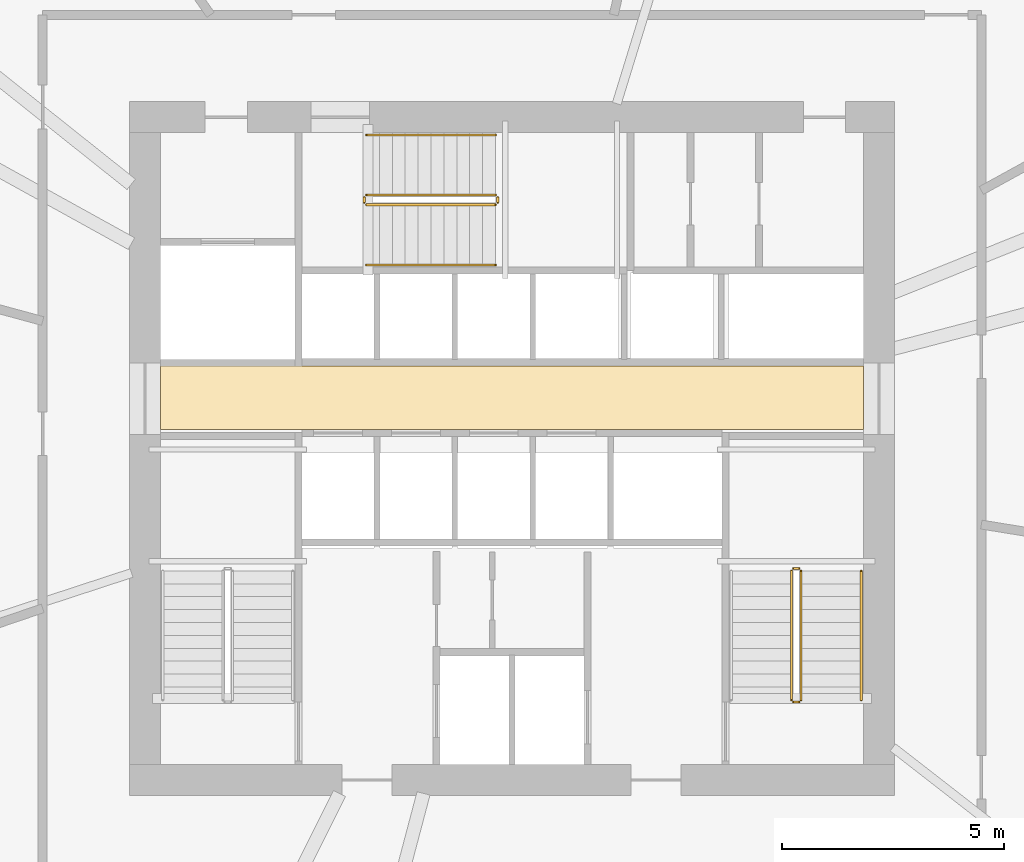
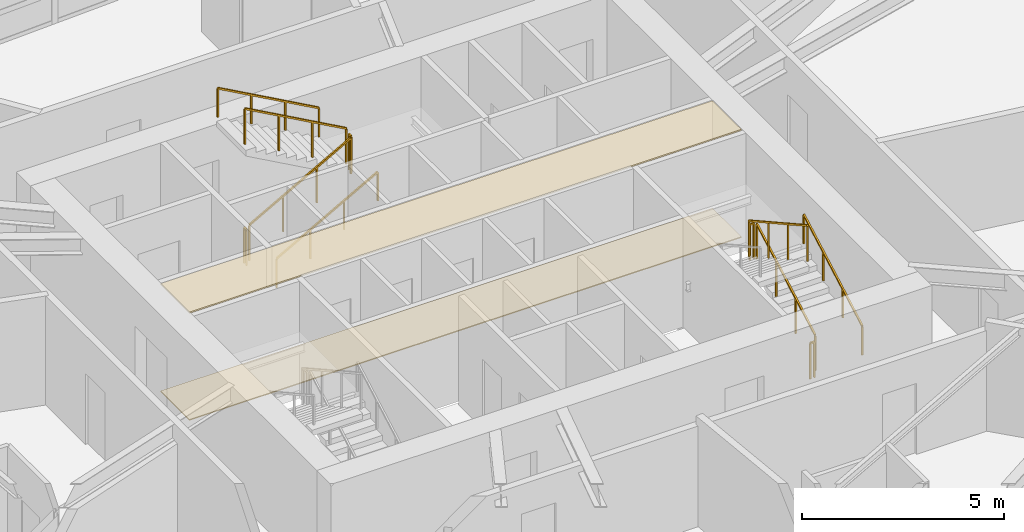
# One storey, part 20 of 21: 11 railings, 2 coverings.
"""IFC4 building model written with IfcOpenShell, lengths in metres."""

from ifc_helpers import new_model, si_unit, direction, frame, origin, origin_2d, place, context, subcontext, project, spatial, polyline, rectangle, outline, extrude, material, layer, layer_set, type_object, element, save


model = new_model("IFC4")

# Units and contexts
model_context = context("Model", 3, precision=1e-05, world=origin(), true_north=direction((0.0, 1.0)))
body_context = subcontext(model_context, "Body", "Model", "MODEL_VIEW")
ifc_project = project(units=[si_unit("LENGTHUNIT", "METRE"), si_unit("AREAUNIT", "SQUARE_METRE"), si_unit("VOLUMEUNIT", "CUBIC_METRE"), si_unit("PLANEANGLEUNIT", "RADIAN"), si_unit("MASSUNIT", "GRAM", prefix="KILO")], contexts=[model_context])

# Site, building, storey
site_placement = place(None, origin())
site = spatial("IfcSite", under=ifc_project, at=site_placement, CompositionType="ELEMENT")
building_placement = place(site_placement, origin())
building = spatial("IfcBuilding", under=site, at=building_placement, Name="Olszyna Solenne Hotel", CompositionType="ELEMENT")
storey_placement = place(building_placement, frame((0.0, 0.0, 105.699951171875)))
storey = spatial("IfcBuildingStorey", under=building, at=storey_placement, Name="L27", CompositionType="ELEMENT", Elevation=105.699951171875)

# Coverings
ifc_material_1 = material(Name="Mineral wool acoustic ceiling")
ifc_layer_1 = layer(ifc_material_1, 0.0400390625, Name="Mineral wool acoustic ceiling")
ifc_layer_set_1 = layer_set([ifc_layer_1], Name="Mineral wool acoustic ceiling")
covering_type_1 = type_object("IfcCoveringType", Name="CL-AC1", PredefinedType="CEILING", material=ifc_layer_set_1)
covering_1_placement = place(storey_placement, frame((0.0, 0.0, 3.239990234375)))
element("IfcCovering", 1, at=covering_1_placement, inside=storey, type_object=covering_type_1, Name="Lift lobby acoustic tile ceiling CL-L27-01", PredefinedType="CEILING", context=body_context, shape_type="SweptSolid", body=[
    extrude(outline(polyline([(30.10009765625, 27.030029296875), (45.89990234375, 27.030029296875), (45.89990234375, 28.4599609375), (30.10009765625, 28.4599609375), (30.10009765625, 27.030029296875)])), origin(), (0.0, 0.0, 1.0), 0.0400390625),
])
ifc_material_2 = material(Name="Ceramic floor tile")
ifc_layer_2 = layer(ifc_material_2, 0.030029296875, Name="Ceramic floor tile")
ifc_layer_set_2 = layer_set([ifc_layer_2], Name="Ceramic floor tile")
covering_type_2 = type_object("IfcCoveringType", Name="FL-TL1", PredefinedType="FLOORING", material=ifc_layer_set_2)
covering_2_placement = place(storey_placement, origin())
element("IfcCovering", 2, at=covering_2_placement, inside=storey, type_object=covering_type_2, Name="Lift lobby stoneware floor finish FLR-L27-01", PredefinedType="FLOORING", context=body_context, shape_type="SweptSolid", body=[
    extrude(outline(polyline([(30.10009765625, 27.030029296875), (45.89990234375, 27.030029296875), (45.89990234375, 28.4599609375), (30.10009765625, 28.4599609375), (30.10009765625, 27.030029296875)])), origin(), (0.0, 0.0, 1.0), 0.030029296875),
])

# Railings
ifc_material_3 = material(Name="Anodised bronze aluminium", Category="aluminium")
railing_type_1 = type_object("IfcRailingType", Name="GR-110", PredefinedType="BALUSTRADE", material=ifc_material_3)
railing_1_placement = place(storey_placement, frame((44.5, 20.949951171875, 0.161376953125)))
element("IfcRailing", 3, at=railing_1_placement, inside=storey, type_object=railing_type_1, Name="L27 ST2 stair guard 1", PredefinedType="BALUSTRADE", context=body_context, shape_type="SweptSolid", body=[
    extrude(rectangle(XDim=0.048095703125, YDim=0.048095703125, at=origin_2d()), frame((0.0, 0.0, 1.076171875), z_axis=(0.0, 0.873827439584, 0.48623616261), x_axis=(-1.0, 0.0, 0.0)), (0.0, 0.0, 1.0), 3.31884765625),
    extrude(rectangle(XDim=0.0419921875, YDim=0.0419921875, at=origin_2d()), origin(), (0.0, 0.0, 1.0), 1.052001953125),
    extrude(rectangle(XDim=0.0419921875, YDim=0.0419921875, at=origin_2d()), frame((0.0, 0.966796875, 0.537841796875)), (0.0, 0.0, 1.0), 1.052001953125),
    extrude(rectangle(XDim=0.0419921875, YDim=0.0419921875, at=origin_2d()), frame((0.0, 1.933349609375, 1.075927734375)), (0.0, 0.0, 1.0), 1.052001953125),
    extrude(rectangle(XDim=0.0419921875, YDim=0.0419921875, at=origin_2d()), frame((0.0, 2.900146484375, 1.61376953125)), (0.0, 0.0, 1.0), 1.052001953125),
])
railing_2_placement = place(storey_placement, frame((44.449951171875, 23.89990234375, 1.775146484375)))
element("IfcRailing", 4, at=railing_2_placement, inside=storey, type_object=railing_type_1, Name="L27 ST2 stair guard 2", PredefinedType="BALUSTRADE", context=body_context, shape_type="SweptSolid", body=[
    extrude(rectangle(XDim=0.048095703125, YDim=0.048095703125, at=origin_2d()), frame((0.0, 0.0, 1.076171875), z_axis=(-1.0, 0.0, 0.0), x_axis=(0.0, -1.0, 0.0)), (0.0, 0.0, 1.0), 0.119873046875),
    extrude(rectangle(XDim=0.0419921875, YDim=0.0419921875, at=origin_2d()), origin(), (0.0, 0.0, 1.0), 1.052001953125),
    extrude(rectangle(XDim=0.0419921875, YDim=0.0419921875, at=origin_2d()), frame((-0.119873046875, 0.0, 0.0)), (0.0, 0.0, 1.0), 1.052001953125),
])
railing_3_placement = place(storey_placement, frame((44.280029296875, 23.85009765625, 1.9365234375)))
element("IfcRailing", 5, at=railing_3_placement, inside=storey, type_object=railing_type_1, Name="L27 ST2 stair guard 3", PredefinedType="BALUSTRADE", context=body_context, shape_type="SweptSolid", body=[
    extrude(rectangle(XDim=0.048095703125, YDim=0.048095703125, at=origin_2d()), frame((0.0, 0.0, 1.076171875), z_axis=(0.0, -0.873858693841, 0.486179990537), x_axis=(1.0, 0.0, 0.0)), (0.0, 0.0, 1.0), 3.31884765625),
    extrude(rectangle(XDim=0.0419921875, YDim=0.0419921875, at=origin_2d()), origin(), (0.0, 0.0, 1.0), 1.052001953125),
    extrude(rectangle(XDim=0.0419921875, YDim=0.0419921875, at=origin_2d()), frame((0.0, -0.966796875, 0.537841796875)), (0.0, 0.0, 1.0), 1.052001953125),
    extrude(rectangle(XDim=0.0419921875, YDim=0.0419921875, at=origin_2d()), frame((0.0, -1.933349609375, 1.07568359375)), (0.0, 0.0, 1.0), 1.052001953125),
    extrude(rectangle(XDim=0.0419921875, YDim=0.0419921875, at=origin_2d()), frame((0.0, -2.900146484375, 1.613525390625)), (0.0, 0.0, 1.0), 1.052001953125),
])
railing_4_placement = place(storey_placement, frame((44.449951171875, 20.89990234375, 0.0)))
element("IfcRailing", 6, at=railing_4_placement, inside=storey, type_object=railing_type_1, Name="L27 ST2 stair guard 4", PredefinedType="BALUSTRADE", context=body_context, shape_type="SweptSolid", body=[
    extrude(rectangle(XDim=0.048095703125, YDim=0.048095703125, at=origin_2d()), frame((0.0, 0.0, 1.076171875), z_axis=(-1.0, 0.0, 0.0), x_axis=(0.0, -1.0, 0.0)), (0.0, 0.0, 1.0), 0.119873046875),
    extrude(rectangle(XDim=0.0419921875, YDim=0.0419921875, at=origin_2d()), origin(), (0.0, 0.0, 1.0), 1.052001953125),
    extrude(rectangle(XDim=0.0419921875, YDim=0.0419921875, at=origin_2d()), frame((-0.119873046875, 0.0, 0.0)), (0.0, 0.0, 1.0), 1.052001953125),
])
railing_5_placement = place(storey_placement, frame((34.72998046875, 32.080078125, 0.161376953125)))
element("IfcRailing", 7, at=railing_5_placement, inside=storey, type_object=railing_type_1, Name="L27 ST3 stair guard 1", PredefinedType="BALUSTRADE", context=body_context, shape_type="SweptSolid", body=[
    extrude(rectangle(XDim=0.048095703125, YDim=0.048095703125, at=origin_2d()), frame((0.0, 0.0, 1.076171875), z_axis=(0.873810046276, 0.0, 0.486267419253), x_axis=(0.0, 1.0, 0.0)), (0.0, 0.0, 1.0), 3.318603515625),
    extrude(rectangle(XDim=0.0419921875, YDim=0.0419921875, at=origin_2d()), origin(), (0.0, 0.0, 1.0), 1.052001953125),
    extrude(rectangle(XDim=0.0419921875, YDim=0.0419921875, at=origin_2d()), frame((0.966552734375, 0.0, 0.537841796875)), (0.0, 0.0, 1.0), 1.052001953125),
    extrude(rectangle(XDim=0.0419921875, YDim=0.0419921875, at=origin_2d()), frame((1.933349609375, 0.0, 1.075927734375)), (0.0, 0.0, 1.0), 1.052001953125),
    extrude(rectangle(XDim=0.0419921875, YDim=0.0419921875, at=origin_2d()), frame((2.89990234375, 0.0, 1.61376953125)), (0.0, 0.0, 1.0), 1.052001953125),
])
railing_6_placement = place(storey_placement, frame((37.679931640625, 32.1298828125, 1.775146484375)))
element("IfcRailing", 8, at=railing_6_placement, inside=storey, type_object=railing_type_1, Name="L27 ST3 stair guard 2", PredefinedType="BALUSTRADE", context=body_context, shape_type="SweptSolid", body=[
    extrude(rectangle(XDim=0.048095703125, YDim=0.048095703125, at=origin_2d()), frame((0.0, 0.0, 1.076171875), z_axis=(0.0, 1.0, 0.0), x_axis=(-1.0, 0.0, 0.0)), (0.0, 0.0, 1.0), 0.1201171875),
    extrude(rectangle(XDim=0.0419921875, YDim=0.0419921875, at=origin_2d()), origin(), (0.0, 0.0, 1.0), 1.052001953125),
    extrude(rectangle(XDim=0.0419921875, YDim=0.0419921875, at=origin_2d()), frame((0.0, 0.1201171875, 0.0)), (0.0, 0.0, 1.0), 1.052001953125),
])
railing_7_placement = place(storey_placement, frame((37.6298828125, 32.300048828125, 1.9365234375)))
element("IfcRailing", 9, at=railing_7_placement, inside=storey, type_object=railing_type_1, Name="L27 ST3 stair guard 3", PredefinedType="BALUSTRADE", context=body_context, shape_type="SweptSolid", body=[
    extrude(rectangle(XDim=0.048095703125, YDim=0.048095703125, at=origin_2d()), frame((0.0, 0.0, 1.076171875), z_axis=(-0.873841303929, 0.0, 0.486211245805), x_axis=(0.0, -1.0, 0.0)), (0.0, 0.0, 1.0), 3.318603515625),
    extrude(rectangle(XDim=0.0419921875, YDim=0.0419921875, at=origin_2d()), origin(), (0.0, 0.0, 1.0), 1.052001953125),
    extrude(rectangle(XDim=0.0419921875, YDim=0.0419921875, at=origin_2d()), frame((-0.966552734375, 0.0, 0.537841796875)), (0.0, 0.0, 1.0), 1.052001953125),
    extrude(rectangle(XDim=0.0419921875, YDim=0.0419921875, at=origin_2d()), frame((-1.933349609375, 0.0, 1.07568359375)), (0.0, 0.0, 1.0), 1.052001953125),
    extrude(rectangle(XDim=0.0419921875, YDim=0.0419921875, at=origin_2d()), frame((-2.89990234375, 0.0, 1.613525390625)), (0.0, 0.0, 1.0), 1.052001953125),
])
railing_8_placement = place(storey_placement, frame((34.679931640625, 32.1298828125, 0.0)))
element("IfcRailing", 10, at=railing_8_placement, inside=storey, type_object=railing_type_1, Name="L27 ST3 stair guard 4", PredefinedType="BALUSTRADE", context=body_context, shape_type="SweptSolid", body=[
    extrude(rectangle(XDim=0.048095703125, YDim=0.048095703125, at=origin_2d()), frame((0.0, 0.0, 1.076171875), z_axis=(0.0, 1.0, 0.0), x_axis=(-1.0, 0.0, 0.0)), (0.0, 0.0, 1.0), 0.1201171875),
    extrude(rectangle(XDim=0.0419921875, YDim=0.0419921875, at=origin_2d()), origin(), (0.0, 0.0, 1.0), 1.052001953125),
    extrude(rectangle(XDim=0.0419921875, YDim=0.0419921875, at=origin_2d()), frame((0.0, 0.1201171875, 0.0)), (0.0, 0.0, 1.0), 1.052001953125),
])
ifc_material_4 = material(Name="Steel S355J2", Category="steel")
railing_type_2 = type_object("IfcRailingType", Name="HR-090", PredefinedType="HANDRAIL", material=ifc_material_4)
railing_9_placement = place(storey_placement, frame((45.85009765625, 20.949951171875, 0.161376953125)))
element("IfcRailing", 11, at=railing_9_placement, inside=storey, type_object=railing_type_2, Name="L27 ST2 stair handrail 1", PredefinedType="HANDRAIL", context=body_context, shape_type="SweptSolid", body=[
    extrude(rectangle(XDim=0.048095703125, YDim=0.048095703125, at=origin_2d()), frame((0.0, 0.0, 0.8759765625), z_axis=(0.0, 0.873827439584, 0.48623616261), x_axis=(-1.0, 0.0, 0.0)), (0.0, 0.0, 1.0), 3.31884765625),
    extrude(rectangle(XDim=0.0419921875, YDim=0.0419921875, at=origin_2d()), origin(), (0.0, 0.0, 1.0), 0.851806640625),
    extrude(rectangle(XDim=0.0419921875, YDim=0.0419921875, at=origin_2d()), frame((0.0, 0.966796875, 0.537841796875)), (0.0, 0.0, 1.0), 0.851806640625),
    extrude(rectangle(XDim=0.0419921875, YDim=0.0419921875, at=origin_2d()), frame((0.0, 1.933349609375, 1.075927734375)), (0.0, 0.0, 1.0), 0.851806640625),
    extrude(rectangle(XDim=0.0419921875, YDim=0.0419921875, at=origin_2d()), frame((0.0, 2.900146484375, 1.61376953125)), (0.0, 0.0, 1.0), 0.851806640625),
])
railing_10_placement = place(storey_placement, frame((34.72998046875, 30.72998046875, 0.161376953125)))
element("IfcRailing", 12, at=railing_10_placement, inside=storey, type_object=railing_type_2, Name="L27 ST3 stair handrail 1", PredefinedType="HANDRAIL", context=body_context, shape_type="SweptSolid", body=[
    extrude(rectangle(XDim=0.048095703125, YDim=0.048095703125, at=origin_2d()), frame((0.0, 0.0, 0.8759765625), z_axis=(0.873810046276, 0.0, 0.486267419253), x_axis=(0.0, 1.0, 0.0)), (0.0, 0.0, 1.0), 3.318603515625),
    extrude(rectangle(XDim=0.0419921875, YDim=0.0419921875, at=origin_2d()), origin(), (0.0, 0.0, 1.0), 0.851806640625),
    extrude(rectangle(XDim=0.0419921875, YDim=0.0419921875, at=origin_2d()), frame((0.966552734375, 0.0, 0.537841796875)), (0.0, 0.0, 1.0), 0.851806640625),
    extrude(rectangle(XDim=0.0419921875, YDim=0.0419921875, at=origin_2d()), frame((1.933349609375, 0.0, 1.075927734375)), (0.0, 0.0, 1.0), 0.851806640625),
    extrude(rectangle(XDim=0.0419921875, YDim=0.0419921875, at=origin_2d()), frame((2.89990234375, 0.0, 1.61376953125)), (0.0, 0.0, 1.0), 0.851806640625),
])
railing_11_placement = place(storey_placement, frame((37.6298828125, 33.64990234375, 1.9365234375)))
element("IfcRailing", 13, at=railing_11_placement, inside=storey, type_object=railing_type_2, Name="L27 ST3 stair handrail 2", PredefinedType="HANDRAIL", context=body_context, shape_type="SweptSolid", body=[
    extrude(rectangle(XDim=0.048095703125, YDim=0.048095703125, at=origin_2d()), frame((0.0, 0.0, 0.8759765625), z_axis=(-0.873841303929, 0.0, 0.486211245805), x_axis=(0.0, -1.0, 0.0)), (0.0, 0.0, 1.0), 3.318603515625),
    extrude(rectangle(XDim=0.0419921875, YDim=0.0419921875, at=origin_2d()), origin(), (0.0, 0.0, 1.0), 0.851806640625),
    extrude(rectangle(XDim=0.0419921875, YDim=0.0419921875, at=origin_2d()), frame((-0.966552734375, 0.0, 0.537841796875)), (0.0, 0.0, 1.0), 0.851806640625),
    extrude(rectangle(XDim=0.0419921875, YDim=0.0419921875, at=origin_2d()), frame((-1.933349609375, 0.0, 1.07568359375)), (0.0, 0.0, 1.0), 0.851806640625),
    extrude(rectangle(XDim=0.0419921875, YDim=0.0419921875, at=origin_2d()), frame((-2.89990234375, 0.0, 1.613525390625)), (0.0, 0.0, 1.0), 0.851806640625),
])

save(model, "model.ifc")
